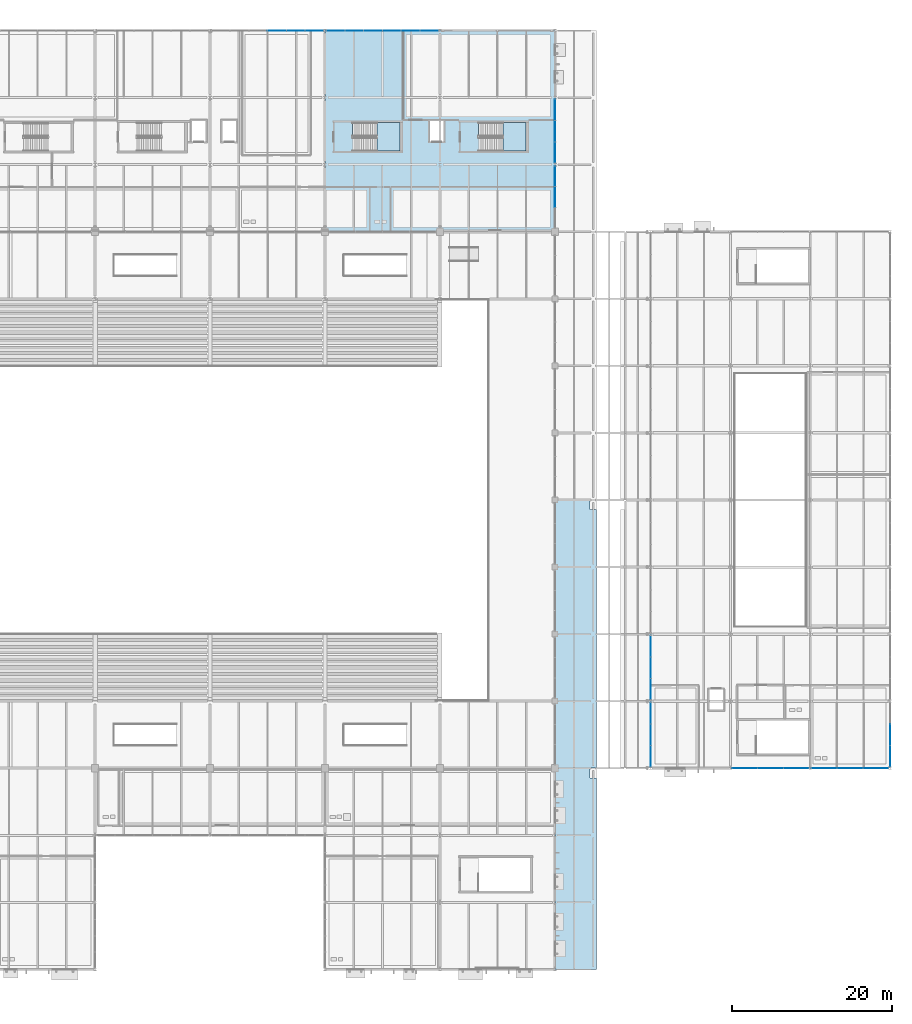
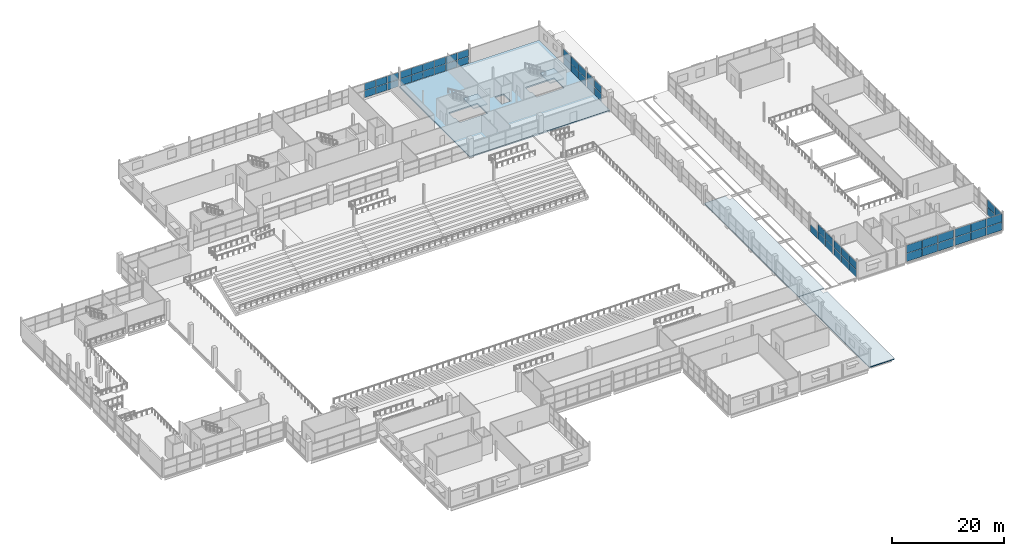
# One storey, part 129 of 161: 55 plates, 5 slabs, 11 elements without a shape of their own.
"""IFC4 building model written with IfcOpenShell, lengths in metres."""

from ifc_helpers import new_model, si_unit, direction, frame, origin, origin_2d, place, context, subcontext, project, spatial, polyline, rectangle, outline, extrude, material, layer, layer_set, type_object, element, aggregate, save


model = new_model("IFC4")

# Units and contexts
model_context = context("Model", 3, precision=1e-05, world=origin(), true_north=direction((0.0, 1.0)))
body_context = subcontext(model_context, "Body", "Model", "MODEL_VIEW")
ifc_project = project(units=[si_unit("LENGTHUNIT", "METRE"), si_unit("AREAUNIT", "SQUARE_METRE"), si_unit("VOLUMEUNIT", "CUBIC_METRE"), si_unit("PLANEANGLEUNIT", "RADIAN"), si_unit("MASSUNIT", "GRAM", prefix="KILO"), si_unit("THERMODYNAMICTEMPERATUREUNIT", "KELVIN")], contexts=[model_context])

# Site, building, storey
site_placement = place(None, origin())
site = spatial("IfcSite", under=ifc_project, at=site_placement, CompositionType="ELEMENT")
building_placement = place(site_placement, origin())
building = spatial("IfcBuilding", under=site, at=building_placement, Name="Nduvali Passage Aquatics Centre", CompositionType="ELEMENT")
storey_placement = place(building_placement, frame((0.0, 0.0, 4.800048828125)))
storey = spatial("IfcBuildingStorey", under=building, at=storey_placement, Name="L01", CompositionType="ELEMENT", Elevation=4.800048828125)

# Curtain wall, plates
ifc_material_1 = material(Name="Aluminium EN AW-6063 T6", Category="aluminium")
curtain_wall_type_1 = type_object("IfcCurtainWallType", Name="ENV-CW-FOYR", PredefinedType="NOTDEFINED", material=ifc_material_1)
curtain_wall_1_placement = place(storey_placement, origin())
curtain_wall_1 = element("IfcCurtainWall", 1, at=curtain_wall_1_placement, inside=storey, type_object=curtain_wall_type_1, Name="L01 Passage Foyer End Upper CW 068", PredefinedType="NOTDEFINED")
ifc_material_2 = material(Name="Laminated solar-control low-E IGU")
ifc_layer_1 = layer(ifc_material_2, 0.028076171875, Name="Laminated solar-control low-E IGU")
ifc_layer_set_1 = layer_set([ifc_layer_1], Name="Laminated solar-control low-E IGU")
plate_type = type_object("IfcPlateType", Name="ENV-PLT-GLZ28", PredefinedType="CURTAIN_PANEL", material=ifc_layer_set_1)
plate_1_placement = place(storey_placement, frame((138.0, 26.715087890625, 0.06005859375), z_axis=(0.0, 0.0, 1.0), x_axis=(0.0, 1.0, 0.0)))
plate_1 = element("IfcPlate", 2, at=plate_1_placement, type_object=plate_type, Name="Passage Foyer End Upper CW Glazed Panel B1-R1", PredefinedType="CURTAIN_PANEL", context=body_context, shape_type="SweptSolid", body=[
    extrude(rectangle(XDim=2.610107421875, YDim=0.028076171875, at=origin_2d()), origin(), (0.0, 0.0, 1.0), 1.628173828125),
])
plate_2_placement = place(storey_placement, frame((138.0, 26.715087890625, 1.748046875), z_axis=(0.0, 0.0, 1.0), x_axis=(0.0, 1.0, 0.0)))
plate_2 = element("IfcPlate", 3, at=plate_2_placement, type_object=plate_type, Name="Passage Foyer End Upper CW Glazed Panel B1-R2", PredefinedType="CURTAIN_PANEL", context=body_context, shape_type="SweptSolid", body=[
    extrude(rectangle(XDim=2.610107421875, YDim=0.028076171875, at=origin_2d()), origin(), (0.0, 0.0, 1.0), 1.628173828125),
])
plate_3_placement = place(storey_placement, frame((138.0, 29.39990234375, 0.06005859375), z_axis=(0.0, 0.0, 1.0), x_axis=(0.0, 1.0, 0.0)))
plate_3 = element("IfcPlate", 4, at=plate_3_placement, type_object=plate_type, Name="Passage Foyer End Upper CW Glazed Panel B2-R1", PredefinedType="CURTAIN_PANEL", context=body_context, shape_type="SweptSolid", body=[
    extrude(rectangle(XDim=2.639892578125, YDim=0.028076171875, at=origin_2d()), origin(), (0.0, 0.0, 1.0), 1.628173828125),
])
plate_4_placement = place(storey_placement, frame((138.0, 29.39990234375, 1.748046875), z_axis=(0.0, 0.0, 1.0), x_axis=(0.0, 1.0, 0.0)))
plate_4 = element("IfcPlate", 5, at=plate_4_placement, type_object=plate_type, Name="Passage Foyer End Upper CW Glazed Panel B2-R2", PredefinedType="CURTAIN_PANEL", context=body_context, shape_type="SweptSolid", body=[
    extrude(rectangle(XDim=2.639892578125, YDim=0.028076171875, at=origin_2d()), origin(), (0.0, 0.0, 1.0), 1.628173828125),
])
plate_5_placement = place(storey_placement, frame((138.0, 32.0849609375, 0.06005859375), z_axis=(0.0, 0.0, 1.0), x_axis=(0.0, 1.0, 0.0)))
plate_5 = element("IfcPlate", 6, at=plate_5_placement, type_object=plate_type, Name="Passage Foyer End Upper CW Glazed Panel B3-R1", PredefinedType="CURTAIN_PANEL", context=body_context, shape_type="SweptSolid", body=[
    extrude(rectangle(XDim=2.610107421875, YDim=0.028076171875, at=origin_2d()), origin(), (0.0, 0.0, 1.0), 1.628173828125),
])
plate_6_placement = place(storey_placement, frame((138.0, 32.0849609375, 1.748046875), z_axis=(0.0, 0.0, 1.0), x_axis=(0.0, 1.0, 0.0)))
plate_6 = element("IfcPlate", 7, at=plate_6_placement, type_object=plate_type, Name="Passage Foyer End Upper CW Glazed Panel B3-R2", PredefinedType="CURTAIN_PANEL", context=body_context, shape_type="SweptSolid", body=[
    extrude(rectangle(XDim=2.610107421875, YDim=0.028076171875, at=origin_2d()), origin(), (0.0, 0.0, 1.0), 1.628173828125),
])
aggregate(curtain_wall_1, [plate_1, plate_2, plate_3, plate_4, plate_5, plate_6])

curtain_wall_2_placement = place(storey_placement, origin())
curtain_wall_2 = element("IfcCurtainWall", 8, at=curtain_wall_2_placement, inside=storey, type_object=curtain_wall_type_1, Name="L01 Passage Foyer Upper CW 070", PredefinedType="NOTDEFINED")
plate_7_placement = place(storey_placement, frame((138.0, 35.114990234375, 0.06005859375), z_axis=(0.0, 0.0, 1.0), x_axis=(0.0, 1.0, 0.0)))
plate_7 = element("IfcPlate", 9, at=plate_7_placement, type_object=plate_type, Name="Passage Foyer Upper CW Glazed Panel B1-R1", PredefinedType="CURTAIN_PANEL", context=body_context, shape_type="SweptSolid", body=[
    extrude(rectangle(XDim=2.610107421875, YDim=0.028076171875, at=origin_2d()), origin(), (0.0, 0.0, 1.0), 1.628173828125),
])
plate_8_placement = place(storey_placement, frame((138.0, 35.114990234375, 1.748046875), z_axis=(0.0, 0.0, 1.0), x_axis=(0.0, 1.0, 0.0)))
plate_8 = element("IfcPlate", 10, at=plate_8_placement, type_object=plate_type, Name="Passage Foyer Upper CW Glazed Panel B1-R2", PredefinedType="CURTAIN_PANEL", context=body_context, shape_type="SweptSolid", body=[
    extrude(rectangle(XDim=2.610107421875, YDim=0.028076171875, at=origin_2d()), origin(), (0.0, 0.0, 1.0), 1.628173828125),
])
plate_9_placement = place(storey_placement, frame((138.0, 37.800048828125, 0.06005859375), z_axis=(0.0, 0.0, 1.0), x_axis=(0.0, 1.0, 0.0)))
plate_9 = element("IfcPlate", 11, at=plate_9_placement, type_object=plate_type, Name="Passage Foyer Upper CW Glazed Panel B2-R1", PredefinedType="CURTAIN_PANEL", context=body_context, shape_type="SweptSolid", body=[
    extrude(rectangle(XDim=2.639892578125, YDim=0.028076171875, at=origin_2d()), origin(), (0.0, 0.0, 1.0), 1.628173828125),
])
plate_10_placement = place(storey_placement, frame((138.0, 37.800048828125, 1.748046875), z_axis=(0.0, 0.0, 1.0), x_axis=(0.0, 1.0, 0.0)))
plate_10 = element("IfcPlate", 12, at=plate_10_placement, type_object=plate_type, Name="Passage Foyer Upper CW Glazed Panel B2-R2", PredefinedType="CURTAIN_PANEL", context=body_context, shape_type="SweptSolid", body=[
    extrude(rectangle(XDim=2.639892578125, YDim=0.028076171875, at=origin_2d()), origin(), (0.0, 0.0, 1.0), 1.628173828125),
])
plate_11_placement = place(storey_placement, frame((138.0, 40.485107421875, 0.06005859375), z_axis=(0.0, 0.0, 1.0), x_axis=(0.0, 1.0, 0.0)))
plate_11 = element("IfcPlate", 13, at=plate_11_placement, type_object=plate_type, Name="Passage Foyer Upper CW Glazed Panel B3-R1", PredefinedType="CURTAIN_PANEL", context=body_context, shape_type="SweptSolid", body=[
    extrude(rectangle(XDim=2.610107421875, YDim=0.028076171875, at=origin_2d()), origin(), (0.0, 0.0, 1.0), 1.628173828125),
])
aggregate(curtain_wall_2, [plate_7, plate_8, plate_9, plate_10, plate_11])

curtain_wall_3_placement = place(storey_placement, origin())
curtain_wall_3 = element("IfcCurtainWall", 14, at=curtain_wall_3_placement, inside=storey, type_object=curtain_wall_type_1, Name="L01 East Avenue Entrance End Upper CW 080", PredefinedType="NOTDEFINED")
plate_12_placement = place(storey_placement, frame((168.0, 26.71826171875, 0.06005859375), z_axis=(0.0, 0.0, 1.0), x_axis=(0.0, 1.0, 0.0)))
plate_12 = element("IfcPlate", 15, at=plate_12_placement, type_object=plate_type, Name="East Avenue Entrance End Upper CW Glazed Panel B1-R1", PredefinedType="CURTAIN_PANEL", context=body_context, shape_type="SweptSolid", body=[
    extrude(rectangle(XDim=2.606689453125, YDim=0.028076171875, at=origin_2d()), origin(), (0.0, 0.0, 1.0), 1.628173828125),
])
plate_13_placement = place(storey_placement, frame((168.0, 26.71826171875, 1.748046875), z_axis=(0.0, 0.0, 1.0), x_axis=(0.0, 1.0, 0.0)))
plate_13 = element("IfcPlate", 16, at=plate_13_placement, type_object=plate_type, Name="East Avenue Entrance End Upper CW Glazed Panel B1-R2", PredefinedType="CURTAIN_PANEL", context=body_context, shape_type="SweptSolid", body=[
    extrude(rectangle(XDim=2.606689453125, YDim=0.028076171875, at=origin_2d()), origin(), (0.0, 0.0, 1.0), 1.628173828125),
])
plate_14_placement = place(storey_placement, frame((168.0, 29.39990234375, 0.06005859375), z_axis=(0.0, 0.0, 1.0), x_axis=(0.0, 1.0, 0.0)))
plate_14 = element("IfcPlate", 17, at=plate_14_placement, type_object=plate_type, Name="East Avenue Entrance End Upper CW Glazed Panel B2-R1", PredefinedType="CURTAIN_PANEL", context=body_context, shape_type="SweptSolid", body=[
    extrude(rectangle(XDim=2.63671875, YDim=0.028076171875, at=origin_2d()), origin(), (0.0, 0.0, 1.0), 1.628173828125),
])
plate_15_placement = place(storey_placement, frame((168.0, 29.39990234375, 1.748046875), z_axis=(0.0, 0.0, 1.0), x_axis=(0.0, 1.0, 0.0)))
plate_15 = element("IfcPlate", 18, at=plate_15_placement, type_object=plate_type, Name="East Avenue Entrance End Upper CW Glazed Panel B2-R2", PredefinedType="CURTAIN_PANEL", context=body_context, shape_type="SweptSolid", body=[
    extrude(rectangle(XDim=2.63671875, YDim=0.028076171875, at=origin_2d()), origin(), (0.0, 0.0, 1.0), 1.628173828125),
])
aggregate(curtain_wall_3, [plate_12, plate_13, plate_14, plate_15])

curtain_wall_type_2 = type_object("IfcCurtainWallType", Name="ENV-CW-PASS", PredefinedType="NOTDEFINED", material=ifc_material_1)
curtain_wall_4_placement = place(storey_placement, origin())
curtain_wall_4 = element("IfcCurtainWall", 19, at=curtain_wall_4_placement, inside=storey, type_object=curtain_wall_type_2, Name="L01 South Pavilion Upper CW 092", PredefinedType="NOTDEFINED")
plate_16_placement = place(storey_placement, frame((149.777099609375, 25.199951171875, 0.059814453125), z_axis=(0.0, 0.0, 1.0), x_axis=(1.0, 0.0, 0.0)))
plate_16 = element("IfcPlate", 20, at=plate_16_placement, type_object=plate_type, Name="South Pavilion Upper CW Glazed Panel B1-R1", PredefinedType="CURTAIN_PANEL", context=body_context, shape_type="SweptSolid", body=[
    extrude(rectangle(XDim=3.154052734375, YDim=0.028076171875, at=origin_2d()), origin(), (0.0, 0.0, 1.0), 1.748046875),
])
plate_17_placement = place(storey_placement, frame((149.777099609375, 25.199951171875, 1.867919921875), z_axis=(0.0, 0.0, 1.0), x_axis=(1.0, 0.0, 0.0)))
plate_17 = element("IfcPlate", 21, at=plate_17_placement, type_object=plate_type, Name="South Pavilion Upper CW Glazed Panel B1-R2", PredefinedType="CURTAIN_PANEL", context=body_context, shape_type="SweptSolid", body=[
    extrude(rectangle(XDim=3.154052734375, YDim=0.028076171875, at=origin_2d()), origin(), (0.0, 0.0, 1.0), 1.748046875),
])
plate_18_placement = place(storey_placement, frame((153.005859375, 25.199951171875, 0.059814453125), z_axis=(0.0, 0.0, 1.0), x_axis=(1.0, 0.0, 0.0)))
plate_18 = element("IfcPlate", 22, at=plate_18_placement, type_object=plate_type, Name="South Pavilion Upper CW Glazed Panel B2-R1", PredefinedType="CURTAIN_PANEL", context=body_context, shape_type="SweptSolid", body=[
    extrude(rectangle(XDim=3.18408203125, YDim=0.028076171875, at=origin_2d()), origin(), (0.0, 0.0, 1.0), 1.748046875),
])
plate_19_placement = place(storey_placement, frame((153.005859375, 25.199951171875, 1.867919921875), z_axis=(0.0, 0.0, 1.0), x_axis=(1.0, 0.0, 0.0)))
plate_19 = element("IfcPlate", 23, at=plate_19_placement, type_object=plate_type, Name="South Pavilion Upper CW Glazed Panel B2-R2", PredefinedType="CURTAIN_PANEL", context=body_context, shape_type="SweptSolid", body=[
    extrude(rectangle(XDim=3.18408203125, YDim=0.028076171875, at=origin_2d()), origin(), (0.0, 0.0, 1.0), 1.748046875),
])
plate_20_placement = place(storey_placement, frame((156.23486328125, 25.199951171875, 0.059814453125), z_axis=(0.0, 0.0, 1.0), x_axis=(1.0, 0.0, 0.0)))
plate_20 = element("IfcPlate", 24, at=plate_20_placement, type_object=plate_type, Name="South Pavilion Upper CW Glazed Panel B3-R1", PredefinedType="CURTAIN_PANEL", context=body_context, shape_type="SweptSolid", body=[
    extrude(rectangle(XDim=3.154052734375, YDim=0.028076171875, at=origin_2d()), origin(), (0.0, 0.0, 1.0), 1.748046875),
])
plate_21_placement = place(storey_placement, frame((156.23486328125, 25.199951171875, 1.867919921875), z_axis=(0.0, 0.0, 1.0), x_axis=(1.0, 0.0, 0.0)))
plate_21 = element("IfcPlate", 25, at=plate_21_placement, type_object=plate_type, Name="South Pavilion Upper CW Glazed Panel B3-R2", PredefinedType="CURTAIN_PANEL", context=body_context, shape_type="SweptSolid", body=[
    extrude(rectangle(XDim=3.154052734375, YDim=0.028076171875, at=origin_2d()), origin(), (0.0, 0.0, 1.0), 1.748046875),
])
aggregate(curtain_wall_4, [plate_16, plate_17, plate_18, plate_19, plate_20, plate_21])

curtain_wall_5_placement = place(storey_placement, origin())
curtain_wall_5 = element("IfcCurtainWall", 26, at=curtain_wall_5_placement, inside=storey, type_object=curtain_wall_type_2, Name="L01 South Pavilion Upper CW 094", PredefinedType="NOTDEFINED")
plate_22_placement = place(storey_placement, frame((159.763427734375, 25.199951171875, 0.059814453125), z_axis=(0.0, 0.0, 1.0), x_axis=(1.0, 0.0, 0.0)))
plate_22 = element("IfcPlate", 27, at=plate_22_placement, type_object=plate_type, Name="South Pavilion Upper CW Glazed Panel B1-R1", PredefinedType="CURTAIN_PANEL", context=body_context, shape_type="SweptSolid", body=[
    extrude(rectangle(XDim=3.150634765625, YDim=0.028076171875, at=origin_2d()), origin(), (0.0, 0.0, 1.0), 1.748046875),
])
plate_23_placement = place(storey_placement, frame((159.763427734375, 25.199951171875, 1.867919921875), z_axis=(0.0, 0.0, 1.0), x_axis=(1.0, 0.0, 0.0)))
plate_23 = element("IfcPlate", 28, at=plate_23_placement, type_object=plate_type, Name="South Pavilion Upper CW Glazed Panel B1-R2", PredefinedType="CURTAIN_PANEL", context=body_context, shape_type="SweptSolid", body=[
    extrude(rectangle(XDim=3.150634765625, YDim=0.028076171875, at=origin_2d()), origin(), (0.0, 0.0, 1.0), 1.748046875),
])
plate_24_placement = place(storey_placement, frame((162.989013671875, 25.199951171875, 0.059814453125), z_axis=(0.0, 0.0, 1.0), x_axis=(1.0, 0.0, 0.0)))
plate_24 = element("IfcPlate", 29, at=plate_24_placement, type_object=plate_type, Name="South Pavilion Upper CW Glazed Panel B2-R1", PredefinedType="CURTAIN_PANEL", context=body_context, shape_type="SweptSolid", body=[
    extrude(rectangle(XDim=3.1806640625, YDim=0.028076171875, at=origin_2d()), origin(), (0.0, 0.0, 1.0), 1.748046875),
])
plate_25_placement = place(storey_placement, frame((162.989013671875, 25.199951171875, 1.867919921875), z_axis=(0.0, 0.0, 1.0), x_axis=(1.0, 0.0, 0.0)))
plate_25 = element("IfcPlate", 30, at=plate_25_placement, type_object=plate_type, Name="South Pavilion Upper CW Glazed Panel B2-R2", PredefinedType="CURTAIN_PANEL", context=body_context, shape_type="SweptSolid", body=[
    extrude(rectangle(XDim=3.1806640625, YDim=0.028076171875, at=origin_2d()), origin(), (0.0, 0.0, 1.0), 1.748046875),
])
plate_26_placement = place(storey_placement, frame((166.214599609375, 25.199951171875, 0.059814453125), z_axis=(0.0, 0.0, 1.0), x_axis=(1.0, 0.0, 0.0)))
plate_26 = element("IfcPlate", 31, at=plate_26_placement, type_object=plate_type, Name="South Pavilion Upper CW Glazed Panel B3-R1", PredefinedType="CURTAIN_PANEL", context=body_context, shape_type="SweptSolid", body=[
    extrude(rectangle(XDim=3.150634765625, YDim=0.028076171875, at=origin_2d()), origin(), (0.0, 0.0, 1.0), 1.748046875),
])
plate_27_placement = place(storey_placement, frame((166.214599609375, 25.199951171875, 1.867919921875), z_axis=(0.0, 0.0, 1.0), x_axis=(1.0, 0.0, 0.0)))
plate_27 = element("IfcPlate", 32, at=plate_27_placement, type_object=plate_type, Name="South Pavilion Upper CW Glazed Panel B3-R2", PredefinedType="CURTAIN_PANEL", context=body_context, shape_type="SweptSolid", body=[
    extrude(rectangle(XDim=3.150634765625, YDim=0.028076171875, at=origin_2d()), origin(), (0.0, 0.0, 1.0), 1.748046875),
])
aggregate(curtain_wall_5, [plate_22, plate_23, plate_24, plate_25, plate_26, plate_27])

curtain_wall_type_3 = type_object("IfcCurtainWallType", Name="ENV-CW-WELL", PredefinedType="NOTDEFINED", material=ifc_material_1)
curtain_wall_6_placement = place(storey_placement, origin())
curtain_wall_6 = element("IfcCurtainWall", 33, at=curtain_wall_6_placement, inside=storey, type_object=curtain_wall_type_3, Name="L01 North Avenue Fitness CW 108", PredefinedType="NOTDEFINED")
plate_28_placement = place(storey_placement, frame((91.18701171875, 117.60009765625, 0.06005859375), z_axis=(0.0, 0.0, 1.0), x_axis=(1.0, 0.0, 0.0)))
plate_28 = element("IfcPlate", 34, at=plate_28_placement, type_object=plate_type, Name="North Avenue Fitness CW Glazed Panel B4-R1", PredefinedType="CURTAIN_PANEL", context=body_context, shape_type="SweptSolid", body=[
    extrude(rectangle(XDim=2.283447265625, YDim=0.028076171875, at=origin_2d()), origin(), (0.0, 0.0, 1.0), 1.496826171875),
])
plate_29_placement = place(storey_placement, frame((91.18701171875, 117.60009765625, 1.61669921875), z_axis=(0.0, 0.0, 1.0), x_axis=(1.0, 0.0, 0.0)))
plate_29 = element("IfcPlate", 35, at=plate_29_placement, type_object=plate_type, Name="North Avenue Fitness CW Glazed Panel B4-R2", PredefinedType="CURTAIN_PANEL", context=body_context, shape_type="SweptSolid", body=[
    extrude(rectangle(XDim=2.283447265625, YDim=0.028076171875, at=origin_2d()), origin(), (0.0, 0.0, 1.0), 1.496826171875),
])
plate_30_placement = place(storey_placement, frame((93.5302734375, 117.60009765625, 0.06005859375), z_axis=(0.0, 0.0, 1.0), x_axis=(1.0, 0.0, 0.0)))
plate_30 = element("IfcPlate", 36, at=plate_30_placement, type_object=plate_type, Name="North Avenue Fitness CW Glazed Panel B5-R1", PredefinedType="CURTAIN_PANEL", context=body_context, shape_type="SweptSolid", body=[
    extrude(rectangle(XDim=2.283447265625, YDim=0.028076171875, at=origin_2d()), origin(), (0.0, 0.0, 1.0), 1.496826171875),
])
plate_31_placement = place(storey_placement, frame((93.5302734375, 117.60009765625, 1.61669921875), z_axis=(0.0, 0.0, 1.0), x_axis=(1.0, 0.0, 0.0)))
plate_31 = element("IfcPlate", 37, at=plate_31_placement, type_object=plate_type, Name="North Avenue Fitness CW Glazed Panel B5-R2", PredefinedType="CURTAIN_PANEL", context=body_context, shape_type="SweptSolid", body=[
    extrude(rectangle(XDim=2.283447265625, YDim=0.028076171875, at=origin_2d()), origin(), (0.0, 0.0, 1.0), 1.496826171875),
])
plate_32_placement = place(storey_placement, frame((95.858642578125, 117.60009765625, 0.06005859375), z_axis=(0.0, 0.0, 1.0), x_axis=(1.0, 0.0, 0.0)))
plate_32 = element("IfcPlate", 38, at=plate_32_placement, type_object=plate_type, Name="North Avenue Fitness CW Glazed Panel B6-R1", PredefinedType="CURTAIN_PANEL", context=body_context, shape_type="SweptSolid", body=[
    extrude(rectangle(XDim=2.25341796875, YDim=0.028076171875, at=origin_2d()), origin(), (0.0, 0.0, 1.0), 1.496826171875),
])
plate_33_placement = place(storey_placement, frame((95.858642578125, 117.60009765625, 1.61669921875), z_axis=(0.0, 0.0, 1.0), x_axis=(1.0, 0.0, 0.0)))
plate_33 = element("IfcPlate", 39, at=plate_33_placement, type_object=plate_type, Name="North Avenue Fitness CW Glazed Panel B6-R2", PredefinedType="CURTAIN_PANEL", context=body_context, shape_type="SweptSolid", body=[
    extrude(rectangle(XDim=2.25341796875, YDim=0.028076171875, at=origin_2d()), origin(), (0.0, 0.0, 1.0), 1.496826171875),
])
aggregate(curtain_wall_6, [plate_28, plate_29, plate_30, plate_31, plate_32, plate_33])

curtain_wall_7_placement = place(storey_placement, origin())
curtain_wall_7 = element("IfcCurtainWall", 40, at=curtain_wall_7_placement, inside=storey, type_object=curtain_wall_type_3, Name="L01 North Avenue Fitness CW 112", PredefinedType="NOTDEFINED")
plate_34_placement = place(storey_placement, frame((98.543701171875, 117.60009765625, 0.06005859375), z_axis=(0.0, 0.0, 1.0), x_axis=(1.0, 0.0, 0.0)))
plate_34 = element("IfcPlate", 41, at=plate_34_placement, type_object=plate_type, Name="North Avenue Fitness CW Glazed Panel B1-R1", PredefinedType="CURTAIN_PANEL", context=body_context, shape_type="SweptSolid", body=[
    extrude(rectangle(XDim=2.258544921875, YDim=0.028076171875, at=origin_2d()), origin(), (0.0, 0.0, 1.0), 1.496826171875),
])
plate_35_placement = place(storey_placement, frame((98.543701171875, 117.60009765625, 1.61669921875), z_axis=(0.0, 0.0, 1.0), x_axis=(1.0, 0.0, 0.0)))
plate_35 = element("IfcPlate", 42, at=plate_35_placement, type_object=plate_type, Name="North Avenue Fitness CW Glazed Panel B1-R2", PredefinedType="CURTAIN_PANEL", context=body_context, shape_type="SweptSolid", body=[
    extrude(rectangle(XDim=2.258544921875, YDim=0.028076171875, at=origin_2d()), origin(), (0.0, 0.0, 1.0), 1.496826171875),
])
plate_36_placement = place(storey_placement, frame((100.877197265625, 117.60009765625, 0.06005859375), z_axis=(0.0, 0.0, 1.0), x_axis=(1.0, 0.0, 0.0)))
plate_36 = element("IfcPlate", 43, at=plate_36_placement, type_object=plate_type, Name="North Avenue Fitness CW Glazed Panel B2-R1", PredefinedType="CURTAIN_PANEL", context=body_context, shape_type="SweptSolid", body=[
    extrude(rectangle(XDim=2.28857421875, YDim=0.028076171875, at=origin_2d()), origin(), (0.0, 0.0, 1.0), 1.496826171875),
])
plate_37_placement = place(storey_placement, frame((100.877197265625, 117.60009765625, 1.61669921875), z_axis=(0.0, 0.0, 1.0), x_axis=(1.0, 0.0, 0.0)))
plate_37 = element("IfcPlate", 44, at=plate_37_placement, type_object=plate_type, Name="North Avenue Fitness CW Glazed Panel B2-R2", PredefinedType="CURTAIN_PANEL", context=body_context, shape_type="SweptSolid", body=[
    extrude(rectangle(XDim=2.28857421875, YDim=0.028076171875, at=origin_2d()), origin(), (0.0, 0.0, 1.0), 1.496826171875),
])
plate_38_placement = place(storey_placement, frame((103.225830078125, 117.60009765625, 0.06005859375), z_axis=(0.0, 0.0, 1.0), x_axis=(1.0, 0.0, 0.0)))
plate_38 = element("IfcPlate", 45, at=plate_38_placement, type_object=plate_type, Name="North Avenue Fitness CW Glazed Panel B3-R1", PredefinedType="CURTAIN_PANEL", context=body_context, shape_type="SweptSolid", body=[
    extrude(rectangle(XDim=2.28857421875, YDim=0.028076171875, at=origin_2d()), origin(), (0.0, 0.0, 1.0), 1.496826171875),
])
plate_39_placement = place(storey_placement, frame((103.225830078125, 117.60009765625, 1.61669921875), z_axis=(0.0, 0.0, 1.0), x_axis=(1.0, 0.0, 0.0)))
plate_39 = element("IfcPlate", 46, at=plate_39_placement, type_object=plate_type, Name="North Avenue Fitness CW Glazed Panel B3-R2", PredefinedType="CURTAIN_PANEL", context=body_context, shape_type="SweptSolid", body=[
    extrude(rectangle(XDim=2.28857421875, YDim=0.028076171875, at=origin_2d()), origin(), (0.0, 0.0, 1.0), 1.496826171875),
])
plate_40_placement = place(storey_placement, frame((105.57421875, 117.60009765625, 0.06005859375), z_axis=(0.0, 0.0, 1.0), x_axis=(1.0, 0.0, 0.0)))
plate_40 = element("IfcPlate", 47, at=plate_40_placement, type_object=plate_type, Name="North Avenue Fitness CW Glazed Panel B4-R1", PredefinedType="CURTAIN_PANEL", context=body_context, shape_type="SweptSolid", body=[
    extrude(rectangle(XDim=2.28857421875, YDim=0.028076171875, at=origin_2d()), origin(), (0.0, 0.0, 1.0), 1.496826171875),
])
plate_41_placement = place(storey_placement, frame((105.57421875, 117.60009765625, 1.61669921875), z_axis=(0.0, 0.0, 1.0), x_axis=(1.0, 0.0, 0.0)))
plate_41 = element("IfcPlate", 48, at=plate_41_placement, type_object=plate_type, Name="North Avenue Fitness CW Glazed Panel B4-R2", PredefinedType="CURTAIN_PANEL", context=body_context, shape_type="SweptSolid", body=[
    extrude(rectangle(XDim=2.28857421875, YDim=0.028076171875, at=origin_2d()), origin(), (0.0, 0.0, 1.0), 1.496826171875),
])
plate_42_placement = place(storey_placement, frame((107.922607421875, 117.60009765625, 0.06005859375), z_axis=(0.0, 0.0, 1.0), x_axis=(1.0, 0.0, 0.0)))
plate_42 = element("IfcPlate", 49, at=plate_42_placement, type_object=plate_type, Name="North Avenue Fitness CW Glazed Panel B5-R1", PredefinedType="CURTAIN_PANEL", context=body_context, shape_type="SweptSolid", body=[
    extrude(rectangle(XDim=2.28857421875, YDim=0.028076171875, at=origin_2d()), origin(), (0.0, 0.0, 1.0), 1.496826171875),
])
plate_43_placement = place(storey_placement, frame((107.922607421875, 117.60009765625, 1.61669921875), z_axis=(0.0, 0.0, 1.0), x_axis=(1.0, 0.0, 0.0)))
plate_43 = element("IfcPlate", 50, at=plate_43_placement, type_object=plate_type, Name="North Avenue Fitness CW Glazed Panel B5-R2", PredefinedType="CURTAIN_PANEL", context=body_context, shape_type="SweptSolid", body=[
    extrude(rectangle(XDim=2.28857421875, YDim=0.028076171875, at=origin_2d()), origin(), (0.0, 0.0, 1.0), 1.496826171875),
])
plate_44_placement = place(storey_placement, frame((110.256103515625, 117.60009765625, 0.06005859375), z_axis=(0.0, 0.0, 1.0), x_axis=(1.0, 0.0, 0.0)))
plate_44 = element("IfcPlate", 51, at=plate_44_placement, type_object=plate_type, Name="North Avenue Fitness CW Glazed Panel B6-R1", PredefinedType="CURTAIN_PANEL", context=body_context, shape_type="SweptSolid", body=[
    extrude(rectangle(XDim=2.258544921875, YDim=0.028076171875, at=origin_2d()), origin(), (0.0, 0.0, 1.0), 1.496826171875),
])
plate_45_placement = place(storey_placement, frame((110.256103515625, 117.60009765625, 1.61669921875), z_axis=(0.0, 0.0, 1.0), x_axis=(1.0, 0.0, 0.0)))
plate_45 = element("IfcPlate", 52, at=plate_45_placement, type_object=plate_type, Name="North Avenue Fitness CW Glazed Panel B6-R2", PredefinedType="CURTAIN_PANEL", context=body_context, shape_type="SweptSolid", body=[
    extrude(rectangle(XDim=2.258544921875, YDim=0.028076171875, at=origin_2d()), origin(), (0.0, 0.0, 1.0), 1.496826171875),
])
aggregate(curtain_wall_7, [plate_34, plate_35, plate_36, plate_37, plate_38, plate_39, plate_40, plate_41, plate_42, plate_43, plate_44, plate_45])

curtain_wall_8_placement = place(storey_placement, origin())
curtain_wall_8 = element("IfcCurtainWall", 53, at=curtain_wall_8_placement, inside=storey, type_object=curtain_wall_type_2, Name="L01 East Passage Fitness CW 117", PredefinedType="NOTDEFINED")
plate_46_placement = place(storey_placement, frame((126.0, 96.744873046875, 0.06005859375), z_axis=(0.0, 0.0, 1.0), x_axis=(0.0, 1.0, 0.0)))
plate_46 = element("IfcPlate", 54, at=plate_46_placement, type_object=plate_type, Name="East Passage Fitness CW Glazed Panel B2-R1", PredefinedType="CURTAIN_PANEL", context=body_context, shape_type="SweptSolid", body=[
    extrude(rectangle(XDim=2.53662109375, YDim=0.028076171875, at=origin_2d()), origin(), (0.0, 0.0, 1.0), 1.6083984375),
])
plate_47_placement = place(storey_placement, frame((126.0, 96.744873046875, 1.728271484375), z_axis=(0.0, 0.0, 1.0), x_axis=(0.0, 1.0, 0.0)))
plate_47 = element("IfcPlate", 55, at=plate_47_placement, type_object=plate_type, Name="East Passage Fitness CW Glazed Panel B2-R2", PredefinedType="CURTAIN_PANEL", context=body_context, shape_type="SweptSolid", body=[
    extrude(rectangle(XDim=2.53662109375, YDim=0.028076171875, at=origin_2d()), origin(), (0.0, 0.0, 1.0), 1.6083984375),
])
plate_48_placement = place(storey_placement, frame((126.0, 99.326416015625, 0.06005859375), z_axis=(0.0, 0.0, 1.0), x_axis=(0.0, 1.0, 0.0)))
plate_48 = element("IfcPlate", 56, at=plate_48_placement, type_object=plate_type, Name="East Passage Fitness CW Glazed Panel B3-R1", PredefinedType="CURTAIN_PANEL", context=body_context, shape_type="SweptSolid", body=[
    extrude(rectangle(XDim=2.506591796875, YDim=0.028076171875, at=origin_2d()), origin(), (0.0, 0.0, 1.0), 1.6083984375),
])
plate_49_placement = place(storey_placement, frame((126.0, 99.326416015625, 1.728271484375), z_axis=(0.0, 0.0, 1.0), x_axis=(0.0, 1.0, 0.0)))
plate_49 = element("IfcPlate", 57, at=plate_49_placement, type_object=plate_type, Name="East Passage Fitness CW Glazed Panel B3-R2", PredefinedType="CURTAIN_PANEL", context=body_context, shape_type="SweptSolid", body=[
    extrude(rectangle(XDim=2.506591796875, YDim=0.028076171875, at=origin_2d()), origin(), (0.0, 0.0, 1.0), 1.6083984375),
])
aggregate(curtain_wall_8, [plate_46, plate_47, plate_48, plate_49])

curtain_wall_9_placement = place(storey_placement, origin())
curtain_wall_9 = element("IfcCurtainWall", 58, at=curtain_wall_9_placement, inside=storey, type_object=curtain_wall_type_2, Name="L01 East Passage Fitness CW 121", PredefinedType="NOTDEFINED")
plate_50_placement = place(storey_placement, frame((126.0, 102.322021484375, 0.06005859375), z_axis=(0.0, 0.0, 1.0), x_axis=(0.0, 1.0, 0.0)))
plate_50 = element("IfcPlate", 59, at=plate_50_placement, type_object=plate_type, Name="East Passage Fitness CW Glazed Panel B1-R1", PredefinedType="CURTAIN_PANEL", context=body_context, shape_type="SweptSolid", body=[
    extrude(rectangle(XDim=2.60302734375, YDim=0.028076171875, at=origin_2d()), origin(), (0.0, 0.0, 1.0), 1.6083984375),
])
plate_51_placement = place(storey_placement, frame((126.0, 102.322021484375, 1.728271484375), z_axis=(0.0, 0.0, 1.0), x_axis=(0.0, 1.0, 0.0)))
plate_51 = element("IfcPlate", 60, at=plate_51_placement, type_object=plate_type, Name="East Passage Fitness CW Glazed Panel B1-R2", PredefinedType="CURTAIN_PANEL", context=body_context, shape_type="SweptSolid", body=[
    extrude(rectangle(XDim=2.60302734375, YDim=0.028076171875, at=origin_2d()), origin(), (0.0, 0.0, 1.0), 1.6083984375),
])
plate_52_placement = place(storey_placement, frame((126.0, 105.0, 0.06005859375), z_axis=(0.0, 0.0, 1.0), x_axis=(0.0, 1.0, 0.0)))
plate_52 = element("IfcPlate", 61, at=plate_52_placement, type_object=plate_type, Name="East Passage Fitness CW Glazed Panel B2-R1", PredefinedType="CURTAIN_PANEL", context=body_context, shape_type="SweptSolid", body=[
    extrude(rectangle(XDim=2.633056640625, YDim=0.028076171875, at=origin_2d()), origin(), (0.0, 0.0, 1.0), 1.6083984375),
])
plate_53_placement = place(storey_placement, frame((126.0, 105.0, 1.728271484375), z_axis=(0.0, 0.0, 1.0), x_axis=(0.0, 1.0, 0.0)))
plate_53 = element("IfcPlate", 62, at=plate_53_placement, type_object=plate_type, Name="East Passage Fitness CW Glazed Panel B2-R2", PredefinedType="CURTAIN_PANEL", context=body_context, shape_type="SweptSolid", body=[
    extrude(rectangle(XDim=2.633056640625, YDim=0.028076171875, at=origin_2d()), origin(), (0.0, 0.0, 1.0), 1.6083984375),
])
plate_54_placement = place(storey_placement, frame((126.0, 107.677978515625, 0.06005859375), z_axis=(0.0, 0.0, 1.0), x_axis=(0.0, 1.0, 0.0)))
plate_54 = element("IfcPlate", 63, at=plate_54_placement, type_object=plate_type, Name="East Passage Fitness CW Glazed Panel B3-R1", PredefinedType="CURTAIN_PANEL", context=body_context, shape_type="SweptSolid", body=[
    extrude(rectangle(XDim=2.60302734375, YDim=0.028076171875, at=origin_2d()), origin(), (0.0, 0.0, 1.0), 1.6083984375),
])
plate_55_placement = place(storey_placement, frame((126.0, 107.677978515625, 1.728271484375), z_axis=(0.0, 0.0, 1.0), x_axis=(0.0, 1.0, 0.0)))
plate_55 = element("IfcPlate", 64, at=plate_55_placement, type_object=plate_type, Name="East Passage Fitness CW Glazed Panel B3-R2", PredefinedType="CURTAIN_PANEL", context=body_context, shape_type="SweptSolid", body=[
    extrude(rectangle(XDim=2.60302734375, YDim=0.028076171875, at=origin_2d()), origin(), (0.0, 0.0, 1.0), 1.6083984375),
])
aggregate(curtain_wall_9, [plate_50, plate_51, plate_52, plate_53, plate_54, plate_55])

# Stair, slab
ifc_material_3 = material(Name="Concrete C40/50", Category="concrete")
stair_type = type_object("IfcStairType", Name="INT-STR-CORE172", PredefinedType="HALF_TURN_STAIR", material=ifc_material_3)
stair_1_placement = place(storey_placement, origin())
stair_1 = element("IfcStair", 65, at=stair_1_placement, inside=storey, type_object=stair_type, Name="L01 ST2", PredefinedType="HALF_TURN_STAIR")
ifc_layer_2 = layer(ifc_material_3, 0.219970703125, Name="Concrete C40/50")
ifc_layer_set_2 = layer_set([ifc_layer_2], Name="Concrete C40/50")
slab_type_1 = type_object("IfcSlabType", Name="INT-SLB-LAND170", PredefinedType="LANDING", material=ifc_layer_set_2)
slab_1_placement = place(storey_placement, frame((0.0, 0.0, 1.8798828125)))
slab_1 = element("IfcSlab", 66, at=slab_1_placement, type_object=slab_type_1, Name="ST2 landing 1", PredefinedType="LANDING", context=body_context, shape_type="SweptSolid", body=[
    extrude(outline(polyline([(119.530029296875, 102.5), (122.39990234375, 102.5), (122.39990234375, 106.090087890625), (119.530029296875, 106.090087890625), (119.530029296875, 102.5)])), origin(), (0.0, 0.0, 1.0), 0.219970703125),
])
aggregate(stair_1, [slab_1])

stair_2_placement = place(storey_placement, origin())
stair_2 = element("IfcStair", 67, at=stair_2_placement, inside=storey, type_object=stair_type, Name="L01 ST11", PredefinedType="HALF_TURN_STAIR")
slab_2_placement = place(storey_placement, frame((0.0, 0.0, 1.8798828125)))
slab_2 = element("IfcSlab", 68, at=slab_2_placement, type_object=slab_type_1, Name="ST11 landing 1", PredefinedType="LANDING", context=body_context, shape_type="SweptSolid", body=[
    extrude(outline(polyline([(103.72998046875, 102.5), (106.60009765625, 102.5), (106.60009765625, 106.090087890625), (103.72998046875, 106.090087890625), (103.72998046875, 102.5)])), origin(), (0.0, 0.0, 1.0), 0.219970703125),
])
aggregate(stair_2, [slab_2])

# Slabs
ifc_layer_3 = layer(ifc_material_3, 0.280029296875, Name="Concrete C40/50")
ifc_layer_set_3 = layer_set([ifc_layer_3], Name="Concrete C40/50")
slab_type_2 = type_object("IfcSlabType", Name="STR-SLB-FLR280", PredefinedType="FLOOR", material=ifc_layer_set_3)
slab_3_placement = place(storey_placement, frame((0.0, 0.0, -0.280029296875)))
element("IfcSlab", 69, at=slab_3_placement, inside=storey, type_object=slab_type_2, Name="L01 Conditioning Gym and Hydrotherapy Floor Slab 3", PredefinedType="FLOOR", context=body_context, shape_type="SweptSolid", body=[
    extrude(outline(polyline([(97.199951171875, 92.449951171875), (126.0, 92.449951171875), (126.0, 117.60009765625), (97.199951171875, 117.60009765625), (97.199951171875, 92.449951171875)]), holes=[polyline([(116.72998046875, 102.5), (122.39990234375, 102.5), (122.39990234375, 106.090087890625), (116.449951171875, 106.090087890625), (116.449951171875, 104.219970703125), (116.72998046875, 104.219970703125), (116.72998046875, 102.5)]), polyline([(100.929931640625, 102.5), (106.60009765625, 102.5), (106.60009765625, 106.090087890625), (100.64990234375, 106.090087890625), (100.64990234375, 104.219970703125), (100.929931640625, 104.219970703125), (100.929931640625, 102.5)]), polyline([(110.320068359375, 103.719970703125), (112.080078125, 103.719970703125), (112.080078125, 106.280029296875), (110.320068359375, 106.280029296875), (110.320068359375, 103.719970703125)])]), origin(), (0.0, 0.0, 1.0), 0.280029296875),
])
ifc_layer_4 = layer(ifc_material_3, 0.18994140625, Name="Concrete C40/50")
ifc_layer_set_4 = layer_set([ifc_layer_4], Name="Concrete C40/50")
slab_type_3 = type_object("IfcSlabType", Name="STR-SLB-ROOF190", PredefinedType="ROOF", material=ifc_layer_set_4)
slab_4_placement = place(storey_placement, origin())
element("IfcSlab", 70, at=slab_4_placement, inside=storey, type_object=slab_type_3, Name="L01 Monsoon Passage West Colonnade Canopy Slab 1", PredefinedType="ROOF", context=body_context, shape_type="SweptSolid", body=[
    extrude(outline(polyline([(126.0, 0.0), (131.199951171875, 0.0), (131.199951171875, 24.0), (130.39990234375, 24.0), (130.39990234375, 25.199951171875), (126.0, 25.199951171875), (126.0, 0.0)])), origin(), (0.0, 0.0, 1.0), 0.18994140625),
])
slab_5_placement = place(storey_placement, origin())
element("IfcSlab", 71, at=slab_5_placement, inside=storey, type_object=slab_type_3, Name="L01 Monsoon Passage West Colonnade Canopy Slab 2", PredefinedType="ROOF", context=body_context, shape_type="SweptSolid", body=[
    extrude(outline(polyline([(126.0, 25.199951171875), (131.199951171875, 25.199951171875), (131.199951171875, 57.60009765625), (130.39990234375, 57.60009765625), (130.39990234375, 58.800048828125), (126.0, 58.800048828125), (126.0, 25.199951171875)])), origin(), (0.0, 0.0, 1.0), 0.18994140625),
])

save(model, "model.ifc")
